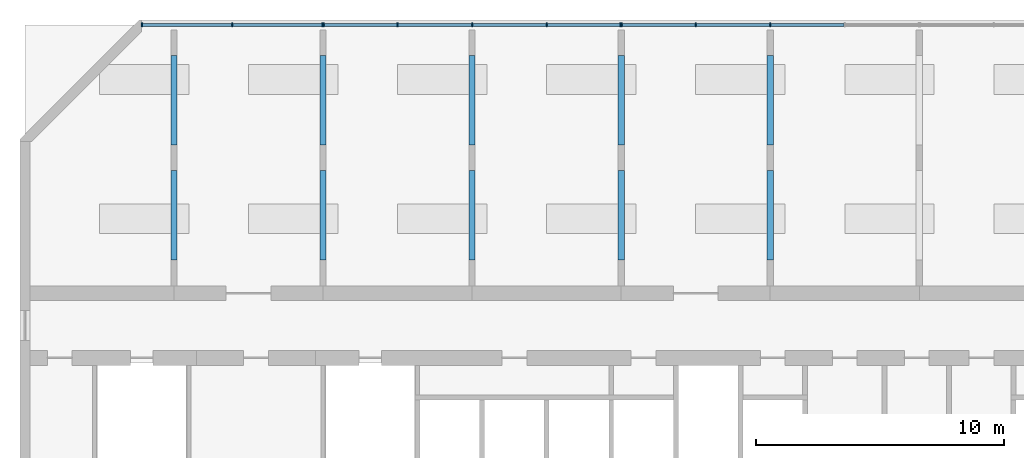
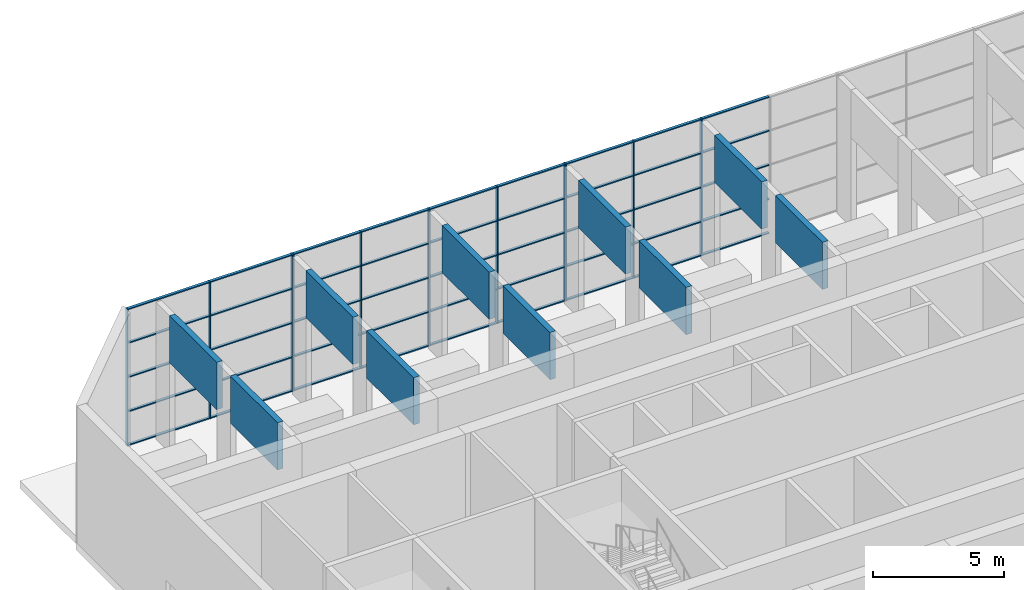
# One storey, part 1 of 13: 56 members, 10 beams, 3 elements without a shape of their own.
"""IFC4 building model written with IfcOpenShell, lengths in metres."""

from ifc_helpers import new_model, si_unit, direction, frame, origin, origin_2d, place, context, subcontext, project, spatial, rectangle, extrude, source, transform, mapped, material, layer, layer_set, material_profile, profile_set, type_object, element, aggregate, save


model = new_model("IFC4")

# Units and contexts
model_context = context("Model", 3, precision=1e-05, world=origin(), true_north=direction((0.0, 1.0)))
body_context = subcontext(model_context, "Body", "Model", "MODEL_VIEW")
ifc_project = project(units=[si_unit("LENGTHUNIT", "METRE"), si_unit("AREAUNIT", "SQUARE_METRE"), si_unit("VOLUMEUNIT", "CUBIC_METRE"), si_unit("PLANEANGLEUNIT", "RADIAN"), si_unit("MASSUNIT", "GRAM", prefix="KILO")], contexts=[model_context])

# Site, building, storey
site_placement = place(None, origin())
site = spatial("IfcSite", under=ifc_project, at=site_placement, CompositionType="ELEMENT")
building_placement = place(site_placement, origin())
building = spatial("IfcBuilding", under=site, at=building_placement, Name="Poui Terraces", CompositionType="ELEMENT")
storey_placement = place(building_placement, frame((0.0, 0.0, 214.800048828125)))
storey = spatial("IfcBuildingStorey", under=building, at=storey_placement, Name="L60", CompositionType="ELEMENT", Elevation=214.800048828125)

# Curtain wall, members
ifc_material_1 = material(Name="Clear glass", Category="glass")
ifc_layer = layer(ifc_material_1, 0.159912109375)
ifc_layer_set = layer_set([ifc_layer], Name="Clear glass")
curtain_wall_type = type_object("IfcCurtainWallType", Name="CURTAIN WALL CW-D SKY GARDEN GLAZING", PredefinedType="NOTDEFINED", material=ifc_layer_set)
curtain_wall_1_placement = place(storey_placement, origin())
curtain_wall_1 = element("IfcCurtainWall", 1, at=curtain_wall_1_placement, inside=storey, type_object=curtain_wall_type, Name="CW-D SKY GARDEN GLAZING", PredefinedType="NOTDEFINED")
ifc_material_2 = material(Name="Aluminium frame", Category="aluminium")
ifc_material_profile_1 = material_profile(ifc_material_2, rectangle(XDim=0.159912109375, YDim=0.050048828125, at=origin_2d()), Name="CW-D MULLION 50X160")
ifc_profile_set_1 = profile_set([ifc_material_profile_1], Name="Aluminium frame")
member_type_1 = type_object("IfcMemberType", Name="CW-D MULLION 50X160", PredefinedType="MULLION", material=ifc_profile_set_1)
member_1_placement = place(storey_placement, frame((29.97509765625, 41.199951171875, 0.0), z_axis=(0.0, 0.0, 1.0), x_axis=(0.0, -1.0, 0.0)))
member_1 = element("IfcMember", 2, at=member_1_placement, type_object=member_type_1, Name="CW-D mullion 1", PredefinedType="MULLION", context=body_context, shape_type="SweptSolid", body=[
    extrude(rectangle(XDim=0.159912109375, YDim=0.050048828125, at=origin_2d()), origin(), (0.0, 0.0, 1.0), 6.3798828125),
])
member_2_placement = place(storey_placement, frame((26.34130859375, 41.199951171875, 0.0), z_axis=(0.0, 0.0, 1.0), x_axis=(0.0, -1.0, 0.0)))
member_2 = element("IfcMember", 3, at=member_2_placement, type_object=member_type_1, Name="CW-D mullion 2", PredefinedType="MULLION", context=body_context, shape_type="SweptSolid", body=[
    extrude(rectangle(XDim=0.159912109375, YDim=0.050048828125, at=origin_2d()), origin(), (0.0, 0.0, 1.0), 6.3798828125),
])
member_3_placement = place(storey_placement, frame((22.707763671875, 41.199951171875, 0.0), z_axis=(0.0, 0.0, 1.0), x_axis=(0.0, -1.0, 0.0)))
member_3 = element("IfcMember", 4, at=member_3_placement, type_object=member_type_1, Name="CW-D mullion 3", PredefinedType="MULLION", context=body_context, shape_type="SweptSolid", body=[
    extrude(rectangle(XDim=0.159912109375, YDim=0.050048828125, at=origin_2d()), origin(), (0.0, 0.0, 1.0), 6.3798828125),
])

curtain_wall_2_placement = place(storey_placement, origin())
curtain_wall_2 = element("IfcCurtainWall", 5, at=curtain_wall_2_placement, inside=storey, type_object=curtain_wall_type, Name="CW-D SKY GARDEN GLAZING", PredefinedType="NOTDEFINED")
member_4_placement = place(storey_placement, frame((41.97509765625, 41.199951171875, 0.0), z_axis=(0.0, 0.0, 1.0), x_axis=(0.0, -1.0, 0.0)))
member_4 = element("IfcMember", 6, at=member_4_placement, type_object=member_type_1, Name="CW-D mullion 1", PredefinedType="MULLION", context=body_context, shape_type="SweptSolid", body=[
    extrude(rectangle(XDim=0.159912109375, YDim=0.050048828125, at=origin_2d()), origin(), (0.0, 0.0, 1.0), 6.3798828125),
])
member_5_placement = place(storey_placement, frame((39.0, 41.199951171875, 0.0), z_axis=(0.0, 0.0, 1.0), x_axis=(0.0, -1.0, 0.0)))
member_5 = element("IfcMember", 7, at=member_5_placement, type_object=member_type_1, Name="CW-D mullion 2", PredefinedType="MULLION", context=body_context, shape_type="SweptSolid", body=[
    extrude(rectangle(XDim=0.159912109375, YDim=0.050048828125, at=origin_2d()), origin(), (0.0, 0.0, 1.0), 6.3798828125),
])
member_6_placement = place(storey_placement, frame((36.0, 41.199951171875, 0.0), z_axis=(0.0, 0.0, 1.0), x_axis=(0.0, -1.0, 0.0)))
member_6 = element("IfcMember", 8, at=member_6_placement, type_object=member_type_1, Name="CW-D mullion 3", PredefinedType="MULLION", context=body_context, shape_type="SweptSolid", body=[
    extrude(rectangle(XDim=0.159912109375, YDim=0.050048828125, at=origin_2d()), origin(), (0.0, 0.0, 1.0), 6.3798828125),
])
member_7_placement = place(storey_placement, frame((33.0, 41.199951171875, 0.0), z_axis=(0.0, 0.0, 1.0), x_axis=(0.0, -1.0, 0.0)))
member_7 = element("IfcMember", 9, at=member_7_placement, type_object=member_type_1, Name="CW-D mullion 4", PredefinedType="MULLION", context=body_context, shape_type="SweptSolid", body=[
    extrude(rectangle(XDim=0.159912109375, YDim=0.050048828125, at=origin_2d()), origin(), (0.0, 0.0, 1.0), 6.3798828125),
])
member_8_placement = place(storey_placement, frame((30.02490234375, 41.199951171875, 0.0), z_axis=(0.0, 0.0, 1.0), x_axis=(0.0, -1.0, 0.0)))
member_8 = element("IfcMember", 10, at=member_8_placement, type_object=member_type_1, Name="CW-D mullion 5", PredefinedType="MULLION", context=body_context, shape_type="SweptSolid", body=[
    extrude(rectangle(XDim=0.159912109375, YDim=0.050048828125, at=origin_2d()), origin(), (0.0, 0.0, 1.0), 6.3798828125),
])

curtain_wall_3_placement = place(storey_placement, origin())
curtain_wall_3 = element("IfcCurtainWall", 11, at=curtain_wall_3_placement, inside=storey, type_object=curtain_wall_type, Name="CW-D SKY GARDEN GLAZING", PredefinedType="NOTDEFINED")
member_9_placement = place(storey_placement, frame((48.0, 41.199951171875, 0.0), z_axis=(0.0, 0.0, 1.0), x_axis=(0.0, -1.0, 0.0)))
member_9 = element("IfcMember", 12, at=member_9_placement, type_object=member_type_1, Name="CW-D mullion 3", PredefinedType="MULLION", context=body_context, shape_type="SweptSolid", body=[
    extrude(rectangle(XDim=0.159912109375, YDim=0.050048828125, at=origin_2d()), origin(), (0.0, 0.0, 1.0), 6.3798828125),
])
member_10_placement = place(storey_placement, frame((45.0, 41.199951171875, 0.0), z_axis=(0.0, 0.0, 1.0), x_axis=(0.0, -1.0, 0.0)))
member_10 = element("IfcMember", 13, at=member_10_placement, type_object=member_type_1, Name="CW-D mullion 4", PredefinedType="MULLION", context=body_context, shape_type="SweptSolid", body=[
    extrude(rectangle(XDim=0.159912109375, YDim=0.050048828125, at=origin_2d()), origin(), (0.0, 0.0, 1.0), 6.3798828125),
])
member_11_placement = place(storey_placement, frame((42.02490234375, 41.199951171875, 0.0), z_axis=(0.0, 0.0, 1.0), x_axis=(0.0, -1.0, 0.0)))
member_11 = element("IfcMember", 14, at=member_11_placement, type_object=member_type_1, Name="CW-D mullion 5", PredefinedType="MULLION", context=body_context, shape_type="SweptSolid", body=[
    extrude(rectangle(XDim=0.159912109375, YDim=0.050048828125, at=origin_2d()), origin(), (0.0, 0.0, 1.0), 6.3798828125),
])

# Member
ifc_material_profile_2 = material_profile(ifc_material_2, rectangle(XDim=0.1201171875, YDim=0.050048828125, at=origin_2d()), Name="CW-D TRANSOM 50X120")
ifc_profile_set_2 = profile_set([ifc_material_profile_2], Name="Aluminium frame")
member_type_2 = type_object("IfcMemberType", Name="CW-D TRANSOM 50X120", PredefinedType="USERDEFINED", material=ifc_profile_set_2)
member_12_placement = place(storey_placement, frame((29.949951171875, 41.199951171875, 0.02490234375), z_axis=(-1.0, 0.0, 0.0), x_axis=(0.0, -1.0, 0.0)))
member_12 = element("IfcMember", 15, at=member_12_placement, type_object=member_type_2, Name="CW-D transom 1.1", ObjectType="TRANSOM", PredefinedType="USERDEFINED", context=body_context, shape_type="SweptSolid", body=[
    extrude(rectangle(XDim=0.1201171875, YDim=0.050048828125, at=origin_2d()), origin(), (0.0, 0.0, 1.0), 3.58349609375),
])

member_13_placement = place(storey_placement, frame((29.949951171875, 41.199951171875, 1.594970703125), z_axis=(-1.0, 0.0, 0.0), x_axis=(0.0, -1.0, 0.0)))
member_13 = element("IfcMember", 16, at=member_13_placement, type_object=member_type_2, Name="CW-D transom 1.2", ObjectType="TRANSOM", PredefinedType="USERDEFINED", context=body_context, shape_type="SweptSolid", body=[
    extrude(rectangle(XDim=0.1201171875, YDim=0.050048828125, at=origin_2d()), origin(), (0.0, 0.0, 1.0), 3.58349609375),
])

member_14_placement = place(storey_placement, frame((29.949951171875, 41.199951171875, 3.18994140625), z_axis=(-1.0, 0.0, 0.0), x_axis=(0.0, -1.0, 0.0)))
member_14 = element("IfcMember", 17, at=member_14_placement, type_object=member_type_2, Name="CW-D transom 1.3", ObjectType="TRANSOM", PredefinedType="USERDEFINED", context=body_context, shape_type="SweptSolid", body=[
    extrude(rectangle(XDim=0.1201171875, YDim=0.050048828125, at=origin_2d()), origin(), (0.0, 0.0, 1.0), 3.58349609375),
])

member_15_placement = place(storey_placement, frame((29.949951171875, 41.199951171875, 4.784912109375), z_axis=(-1.0, 0.0, 0.0), x_axis=(0.0, -1.0, 0.0)))
member_15 = element("IfcMember", 18, at=member_15_placement, type_object=member_type_2, Name="CW-D transom 1.4", ObjectType="TRANSOM", PredefinedType="USERDEFINED", context=body_context, shape_type="SweptSolid", body=[
    extrude(rectangle(XDim=0.1201171875, YDim=0.050048828125, at=origin_2d()), origin(), (0.0, 0.0, 1.0), 3.58349609375),
])

member_16_placement = place(storey_placement, frame((29.949951171875, 41.199951171875, 6.35498046875), z_axis=(-1.0, 0.0, 0.0), x_axis=(0.0, -1.0, 0.0)))
member_16 = element("IfcMember", 19, at=member_16_placement, type_object=member_type_2, Name="CW-D transom 1.5", ObjectType="TRANSOM", PredefinedType="USERDEFINED", context=body_context, shape_type="SweptSolid", body=[
    extrude(rectangle(XDim=0.1201171875, YDim=0.050048828125, at=origin_2d()), origin(), (0.0, 0.0, 1.0), 3.58349609375),
])

member_17_placement = place(storey_placement, frame((26.31640625, 41.199951171875, 0.02490234375), z_axis=(-1.0, 0.0, 0.0), x_axis=(0.0, -1.0, 0.0)))
member_17 = element("IfcMember", 20, at=member_17_placement, type_object=member_type_2, Name="CW-D transom 2.1", ObjectType="TRANSOM", PredefinedType="USERDEFINED", context=body_context, shape_type="SweptSolid", body=[
    extrude(rectangle(XDim=0.1201171875, YDim=0.050048828125, at=origin_2d()), origin(), (0.0, 0.0, 1.0), 3.58349609375),
])

member_18_placement = place(storey_placement, frame((26.31640625, 41.199951171875, 1.594970703125), z_axis=(-1.0, 0.0, 0.0), x_axis=(0.0, -1.0, 0.0)))
member_18 = element("IfcMember", 21, at=member_18_placement, type_object=member_type_2, Name="CW-D transom 2.2", ObjectType="TRANSOM", PredefinedType="USERDEFINED", context=body_context, shape_type="SweptSolid", body=[
    extrude(rectangle(XDim=0.1201171875, YDim=0.050048828125, at=origin_2d()), origin(), (0.0, 0.0, 1.0), 3.58349609375),
])

member_19_placement = place(storey_placement, frame((26.31640625, 41.199951171875, 3.18994140625), z_axis=(-1.0, 0.0, 0.0), x_axis=(0.0, -1.0, 0.0)))
member_19 = element("IfcMember", 22, at=member_19_placement, type_object=member_type_2, Name="CW-D transom 2.3", ObjectType="TRANSOM", PredefinedType="USERDEFINED", context=body_context, shape_type="SweptSolid", body=[
    extrude(rectangle(XDim=0.1201171875, YDim=0.050048828125, at=origin_2d()), origin(), (0.0, 0.0, 1.0), 3.58349609375),
])

member_20_placement = place(storey_placement, frame((26.31640625, 41.199951171875, 4.784912109375), z_axis=(-1.0, 0.0, 0.0), x_axis=(0.0, -1.0, 0.0)))
member_20 = element("IfcMember", 23, at=member_20_placement, type_object=member_type_2, Name="CW-D transom 2.4", ObjectType="TRANSOM", PredefinedType="USERDEFINED", context=body_context, shape_type="SweptSolid", body=[
    extrude(rectangle(XDim=0.1201171875, YDim=0.050048828125, at=origin_2d()), origin(), (0.0, 0.0, 1.0), 3.58349609375),
])

member_21_placement = place(storey_placement, frame((26.31640625, 41.199951171875, 6.35498046875), z_axis=(-1.0, 0.0, 0.0), x_axis=(0.0, -1.0, 0.0)))
member_21 = element("IfcMember", 24, at=member_21_placement, type_object=member_type_2, Name="CW-D transom 2.5", ObjectType="TRANSOM", PredefinedType="USERDEFINED", context=body_context, shape_type="SweptSolid", body=[
    extrude(rectangle(XDim=0.1201171875, YDim=0.050048828125, at=origin_2d()), origin(), (0.0, 0.0, 1.0), 3.58349609375),
])

aggregate(curtain_wall_1, [member_1, member_2, member_3, member_12, member_13, member_14, member_15, member_16, member_17, member_18, member_19, member_20, member_21])

member_22_placement = place(storey_placement, frame((41.949951171875, 41.199951171875, 0.02490234375), z_axis=(-1.0, 0.0, 0.0), x_axis=(0.0, -1.0, 0.0)))
member_22 = element("IfcMember", 25, at=member_22_placement, type_object=member_type_2, Name="CW-D transom 1.1", ObjectType="TRANSOM", PredefinedType="USERDEFINED", context=body_context, shape_type="SweptSolid", body=[
    extrude(rectangle(XDim=0.1201171875, YDim=0.050048828125, at=origin_2d()), origin(), (0.0, 0.0, 1.0), 2.925048828125),
])

member_23_placement = place(storey_placement, frame((41.949951171875, 41.199951171875, 1.594970703125), z_axis=(-1.0, 0.0, 0.0), x_axis=(0.0, -1.0, 0.0)))
member_23 = element("IfcMember", 26, at=member_23_placement, type_object=member_type_2, Name="CW-D transom 1.2", ObjectType="TRANSOM", PredefinedType="USERDEFINED", context=body_context, shape_type="SweptSolid", body=[
    extrude(rectangle(XDim=0.1201171875, YDim=0.050048828125, at=origin_2d()), origin(), (0.0, 0.0, 1.0), 2.925048828125),
])

member_24_placement = place(storey_placement, frame((41.949951171875, 41.199951171875, 3.18994140625), z_axis=(-1.0, 0.0, 0.0), x_axis=(0.0, -1.0, 0.0)))
member_24 = element("IfcMember", 27, at=member_24_placement, type_object=member_type_2, Name="CW-D transom 1.3", ObjectType="TRANSOM", PredefinedType="USERDEFINED", context=body_context, shape_type="SweptSolid", body=[
    extrude(rectangle(XDim=0.1201171875, YDim=0.050048828125, at=origin_2d()), origin(), (0.0, 0.0, 1.0), 2.925048828125),
])

member_25_placement = place(storey_placement, frame((41.949951171875, 41.199951171875, 4.784912109375), z_axis=(-1.0, 0.0, 0.0), x_axis=(0.0, -1.0, 0.0)))
member_25 = element("IfcMember", 28, at=member_25_placement, type_object=member_type_2, Name="CW-D transom 1.4", ObjectType="TRANSOM", PredefinedType="USERDEFINED", context=body_context, shape_type="SweptSolid", body=[
    extrude(rectangle(XDim=0.1201171875, YDim=0.050048828125, at=origin_2d()), origin(), (0.0, 0.0, 1.0), 2.925048828125),
])

member_26_placement = place(storey_placement, frame((41.949951171875, 41.199951171875, 6.35498046875), z_axis=(-1.0, 0.0, 0.0), x_axis=(0.0, -1.0, 0.0)))
member_26 = element("IfcMember", 29, at=member_26_placement, type_object=member_type_2, Name="CW-D transom 1.5", ObjectType="TRANSOM", PredefinedType="USERDEFINED", context=body_context, shape_type="SweptSolid", body=[
    extrude(rectangle(XDim=0.1201171875, YDim=0.050048828125, at=origin_2d()), origin(), (0.0, 0.0, 1.0), 2.925048828125),
])

member_27_placement = place(storey_placement, frame((38.97509765625, 41.199951171875, 0.02490234375), z_axis=(-1.0, 0.0, 0.0), x_axis=(0.0, -1.0, 0.0)))
member_27 = element("IfcMember", 30, at=member_27_placement, type_object=member_type_2, Name="CW-D transom 2.1", ObjectType="TRANSOM", PredefinedType="USERDEFINED", context=body_context, shape_type="SweptSolid", body=[
    extrude(rectangle(XDim=0.1201171875, YDim=0.050048828125, at=origin_2d()), origin(), (0.0, 0.0, 1.0), 2.9501953125),
])

member_28_placement = place(storey_placement, frame((38.97509765625, 41.199951171875, 1.594970703125), z_axis=(-1.0, 0.0, 0.0), x_axis=(0.0, -1.0, 0.0)))
member_28 = element("IfcMember", 31, at=member_28_placement, type_object=member_type_2, Name="CW-D transom 2.2", ObjectType="TRANSOM", PredefinedType="USERDEFINED", context=body_context, shape_type="SweptSolid", body=[
    extrude(rectangle(XDim=0.1201171875, YDim=0.050048828125, at=origin_2d()), origin(), (0.0, 0.0, 1.0), 2.9501953125),
])

member_29_placement = place(storey_placement, frame((38.97509765625, 41.199951171875, 3.18994140625), z_axis=(-1.0, 0.0, 0.0), x_axis=(0.0, -1.0, 0.0)))
member_29 = element("IfcMember", 32, at=member_29_placement, type_object=member_type_2, Name="CW-D transom 2.3", ObjectType="TRANSOM", PredefinedType="USERDEFINED", context=body_context, shape_type="SweptSolid", body=[
    extrude(rectangle(XDim=0.1201171875, YDim=0.050048828125, at=origin_2d()), origin(), (0.0, 0.0, 1.0), 2.9501953125),
])

member_30_placement = place(storey_placement, frame((38.97509765625, 41.199951171875, 4.784912109375), z_axis=(-1.0, 0.0, 0.0), x_axis=(0.0, -1.0, 0.0)))
member_30 = element("IfcMember", 33, at=member_30_placement, type_object=member_type_2, Name="CW-D transom 2.4", ObjectType="TRANSOM", PredefinedType="USERDEFINED", context=body_context, shape_type="SweptSolid", body=[
    extrude(rectangle(XDim=0.1201171875, YDim=0.050048828125, at=origin_2d()), origin(), (0.0, 0.0, 1.0), 2.9501953125),
])

member_31_placement = place(storey_placement, frame((38.97509765625, 41.199951171875, 6.35498046875), z_axis=(-1.0, 0.0, 0.0), x_axis=(0.0, -1.0, 0.0)))
member_31 = element("IfcMember", 34, at=member_31_placement, type_object=member_type_2, Name="CW-D transom 2.5", ObjectType="TRANSOM", PredefinedType="USERDEFINED", context=body_context, shape_type="SweptSolid", body=[
    extrude(rectangle(XDim=0.1201171875, YDim=0.050048828125, at=origin_2d()), origin(), (0.0, 0.0, 1.0), 2.9501953125),
])

member_32_placement = place(storey_placement, frame((35.97509765625, 41.199951171875, 0.02490234375), z_axis=(-1.0, 0.0, 0.0), x_axis=(0.0, -1.0, 0.0)))
member_32 = element("IfcMember", 35, at=member_32_placement, type_object=member_type_2, Name="CW-D transom 3.1", ObjectType="TRANSOM", PredefinedType="USERDEFINED", context=body_context, shape_type="SweptSolid", body=[
    extrude(rectangle(XDim=0.1201171875, YDim=0.050048828125, at=origin_2d()), origin(), (0.0, 0.0, 1.0), 2.9501953125),
])

member_33_placement = place(storey_placement, frame((35.97509765625, 41.199951171875, 1.594970703125), z_axis=(-1.0, 0.0, 0.0), x_axis=(0.0, -1.0, 0.0)))
member_33 = element("IfcMember", 36, at=member_33_placement, type_object=member_type_2, Name="CW-D transom 3.2", ObjectType="TRANSOM", PredefinedType="USERDEFINED", context=body_context, shape_type="SweptSolid", body=[
    extrude(rectangle(XDim=0.1201171875, YDim=0.050048828125, at=origin_2d()), origin(), (0.0, 0.0, 1.0), 2.9501953125),
])

member_34_placement = place(storey_placement, frame((35.97509765625, 41.199951171875, 3.18994140625), z_axis=(-1.0, 0.0, 0.0), x_axis=(0.0, -1.0, 0.0)))
member_34 = element("IfcMember", 37, at=member_34_placement, type_object=member_type_2, Name="CW-D transom 3.3", ObjectType="TRANSOM", PredefinedType="USERDEFINED", context=body_context, shape_type="SweptSolid", body=[
    extrude(rectangle(XDim=0.1201171875, YDim=0.050048828125, at=origin_2d()), origin(), (0.0, 0.0, 1.0), 2.9501953125),
])

member_35_placement = place(storey_placement, frame((35.97509765625, 41.199951171875, 4.784912109375), z_axis=(-1.0, 0.0, 0.0), x_axis=(0.0, -1.0, 0.0)))
member_35 = element("IfcMember", 38, at=member_35_placement, type_object=member_type_2, Name="CW-D transom 3.4", ObjectType="TRANSOM", PredefinedType="USERDEFINED", context=body_context, shape_type="SweptSolid", body=[
    extrude(rectangle(XDim=0.1201171875, YDim=0.050048828125, at=origin_2d()), origin(), (0.0, 0.0, 1.0), 2.9501953125),
])

member_36_placement = place(storey_placement, frame((35.97509765625, 41.199951171875, 6.35498046875), z_axis=(-1.0, 0.0, 0.0), x_axis=(0.0, -1.0, 0.0)))
member_36 = element("IfcMember", 39, at=member_36_placement, type_object=member_type_2, Name="CW-D transom 3.5", ObjectType="TRANSOM", PredefinedType="USERDEFINED", context=body_context, shape_type="SweptSolid", body=[
    extrude(rectangle(XDim=0.1201171875, YDim=0.050048828125, at=origin_2d()), origin(), (0.0, 0.0, 1.0), 2.9501953125),
])

member_37_placement = place(storey_placement, frame((32.97509765625, 41.199951171875, 0.02490234375), z_axis=(-1.0, 0.0, 0.0), x_axis=(0.0, -1.0, 0.0)))
member_37 = element("IfcMember", 40, at=member_37_placement, type_object=member_type_2, Name="CW-D transom 4.1", ObjectType="TRANSOM", PredefinedType="USERDEFINED", context=body_context, shape_type="SweptSolid", body=[
    extrude(rectangle(XDim=0.1201171875, YDim=0.050048828125, at=origin_2d()), origin(), (0.0, 0.0, 1.0), 2.925048828125),
])

member_38_placement = place(storey_placement, frame((32.97509765625, 41.199951171875, 1.594970703125), z_axis=(-1.0, 0.0, 0.0), x_axis=(0.0, -1.0, 0.0)))
member_38 = element("IfcMember", 41, at=member_38_placement, type_object=member_type_2, Name="CW-D transom 4.2", ObjectType="TRANSOM", PredefinedType="USERDEFINED", context=body_context, shape_type="SweptSolid", body=[
    extrude(rectangle(XDim=0.1201171875, YDim=0.050048828125, at=origin_2d()), origin(), (0.0, 0.0, 1.0), 2.925048828125),
])

member_39_placement = place(storey_placement, frame((32.97509765625, 41.199951171875, 3.18994140625), z_axis=(-1.0, 0.0, 0.0), x_axis=(0.0, -1.0, 0.0)))
member_39 = element("IfcMember", 42, at=member_39_placement, type_object=member_type_2, Name="CW-D transom 4.3", ObjectType="TRANSOM", PredefinedType="USERDEFINED", context=body_context, shape_type="SweptSolid", body=[
    extrude(rectangle(XDim=0.1201171875, YDim=0.050048828125, at=origin_2d()), origin(), (0.0, 0.0, 1.0), 2.925048828125),
])

member_40_placement = place(storey_placement, frame((32.97509765625, 41.199951171875, 4.784912109375), z_axis=(-1.0, 0.0, 0.0), x_axis=(0.0, -1.0, 0.0)))
member_40 = element("IfcMember", 43, at=member_40_placement, type_object=member_type_2, Name="CW-D transom 4.4", ObjectType="TRANSOM", PredefinedType="USERDEFINED", context=body_context, shape_type="SweptSolid", body=[
    extrude(rectangle(XDim=0.1201171875, YDim=0.050048828125, at=origin_2d()), origin(), (0.0, 0.0, 1.0), 2.925048828125),
])

member_41_placement = place(storey_placement, frame((32.97509765625, 41.199951171875, 6.35498046875), z_axis=(-1.0, 0.0, 0.0), x_axis=(0.0, -1.0, 0.0)))
member_41 = element("IfcMember", 44, at=member_41_placement, type_object=member_type_2, Name="CW-D transom 4.5", ObjectType="TRANSOM", PredefinedType="USERDEFINED", context=body_context, shape_type="SweptSolid", body=[
    extrude(rectangle(XDim=0.1201171875, YDim=0.050048828125, at=origin_2d()), origin(), (0.0, 0.0, 1.0), 2.925048828125),
])

aggregate(curtain_wall_2, [member_4, member_5, member_6, member_7, member_8, member_22, member_23, member_24, member_25, member_26, member_27, member_28, member_29, member_30, member_31, member_32, member_33, member_34, member_35, member_36, member_37, member_38, member_39, member_40, member_41])

member_42_placement = place(storey_placement, frame((50.97509765625, 41.199951171875, 0.02490234375), z_axis=(-1.0, 0.0, 0.0), x_axis=(0.0, -1.0, 0.0)))
member_42 = element("IfcMember", 45, at=member_42_placement, type_object=member_type_2, Name="CW-D transom 2.1", ObjectType="TRANSOM", PredefinedType="USERDEFINED", context=body_context, shape_type="SweptSolid", body=[
    extrude(rectangle(XDim=0.1201171875, YDim=0.050048828125, at=origin_2d()), origin(), (0.0, 0.0, 1.0), 2.9501953125),
])

member_43_placement = place(storey_placement, frame((50.97509765625, 41.199951171875, 1.594970703125), z_axis=(-1.0, 0.0, 0.0), x_axis=(0.0, -1.0, 0.0)))
member_43 = element("IfcMember", 46, at=member_43_placement, type_object=member_type_2, Name="CW-D transom 2.2", ObjectType="TRANSOM", PredefinedType="USERDEFINED", context=body_context, shape_type="SweptSolid", body=[
    extrude(rectangle(XDim=0.1201171875, YDim=0.050048828125, at=origin_2d()), origin(), (0.0, 0.0, 1.0), 2.9501953125),
])

member_44_placement = place(storey_placement, frame((50.97509765625, 41.199951171875, 3.18994140625), z_axis=(-1.0, 0.0, 0.0), x_axis=(0.0, -1.0, 0.0)))
member_44 = element("IfcMember", 47, at=member_44_placement, type_object=member_type_2, Name="CW-D transom 2.3", ObjectType="TRANSOM", PredefinedType="USERDEFINED", context=body_context, shape_type="SweptSolid", body=[
    extrude(rectangle(XDim=0.1201171875, YDim=0.050048828125, at=origin_2d()), origin(), (0.0, 0.0, 1.0), 2.9501953125),
])

member_45_placement = place(storey_placement, frame((50.97509765625, 41.199951171875, 4.784912109375), z_axis=(-1.0, 0.0, 0.0), x_axis=(0.0, -1.0, 0.0)))
member_45 = element("IfcMember", 48, at=member_45_placement, type_object=member_type_2, Name="CW-D transom 2.4", ObjectType="TRANSOM", PredefinedType="USERDEFINED", context=body_context, shape_type="SweptSolid", body=[
    extrude(rectangle(XDim=0.1201171875, YDim=0.050048828125, at=origin_2d()), origin(), (0.0, 0.0, 1.0), 2.9501953125),
])

member_46_placement = place(storey_placement, frame((50.97509765625, 41.199951171875, 6.35498046875), z_axis=(-1.0, 0.0, 0.0), x_axis=(0.0, -1.0, 0.0)))
member_46 = element("IfcMember", 49, at=member_46_placement, type_object=member_type_2, Name="CW-D transom 2.5", ObjectType="TRANSOM", PredefinedType="USERDEFINED", context=body_context, shape_type="SweptSolid", body=[
    extrude(rectangle(XDim=0.1201171875, YDim=0.050048828125, at=origin_2d()), origin(), (0.0, 0.0, 1.0), 2.9501953125),
])

member_47_placement = place(storey_placement, frame((47.97509765625, 41.199951171875, 0.02490234375), z_axis=(-1.0, 0.0, 0.0), x_axis=(0.0, -1.0, 0.0)))
member_47 = element("IfcMember", 50, at=member_47_placement, type_object=member_type_2, Name="CW-D transom 3.1", ObjectType="TRANSOM", PredefinedType="USERDEFINED", context=body_context, shape_type="SweptSolid", body=[
    extrude(rectangle(XDim=0.1201171875, YDim=0.050048828125, at=origin_2d()), origin(), (0.0, 0.0, 1.0), 2.9501953125),
])

member_48_placement = place(storey_placement, frame((47.97509765625, 41.199951171875, 1.594970703125), z_axis=(-1.0, 0.0, 0.0), x_axis=(0.0, -1.0, 0.0)))
member_48 = element("IfcMember", 51, at=member_48_placement, type_object=member_type_2, Name="CW-D transom 3.2", ObjectType="TRANSOM", PredefinedType="USERDEFINED", context=body_context, shape_type="SweptSolid", body=[
    extrude(rectangle(XDim=0.1201171875, YDim=0.050048828125, at=origin_2d()), origin(), (0.0, 0.0, 1.0), 2.9501953125),
])

member_49_placement = place(storey_placement, frame((47.97509765625, 41.199951171875, 3.18994140625), z_axis=(-1.0, 0.0, 0.0), x_axis=(0.0, -1.0, 0.0)))
member_49 = element("IfcMember", 52, at=member_49_placement, type_object=member_type_2, Name="CW-D transom 3.3", ObjectType="TRANSOM", PredefinedType="USERDEFINED", context=body_context, shape_type="SweptSolid", body=[
    extrude(rectangle(XDim=0.1201171875, YDim=0.050048828125, at=origin_2d()), origin(), (0.0, 0.0, 1.0), 2.9501953125),
])

member_50_placement = place(storey_placement, frame((47.97509765625, 41.199951171875, 4.784912109375), z_axis=(-1.0, 0.0, 0.0), x_axis=(0.0, -1.0, 0.0)))
member_50 = element("IfcMember", 53, at=member_50_placement, type_object=member_type_2, Name="CW-D transom 3.4", ObjectType="TRANSOM", PredefinedType="USERDEFINED", context=body_context, shape_type="SweptSolid", body=[
    extrude(rectangle(XDim=0.1201171875, YDim=0.050048828125, at=origin_2d()), origin(), (0.0, 0.0, 1.0), 2.9501953125),
])

member_51_placement = place(storey_placement, frame((47.97509765625, 41.199951171875, 6.35498046875), z_axis=(-1.0, 0.0, 0.0), x_axis=(0.0, -1.0, 0.0)))
member_51 = element("IfcMember", 54, at=member_51_placement, type_object=member_type_2, Name="CW-D transom 3.5", ObjectType="TRANSOM", PredefinedType="USERDEFINED", context=body_context, shape_type="SweptSolid", body=[
    extrude(rectangle(XDim=0.1201171875, YDim=0.050048828125, at=origin_2d()), origin(), (0.0, 0.0, 1.0), 2.9501953125),
])

member_52_placement = place(storey_placement, frame((44.97509765625, 41.199951171875, 0.02490234375), z_axis=(-1.0, 0.0, 0.0), x_axis=(0.0, -1.0, 0.0)))
member_52 = element("IfcMember", 55, at=member_52_placement, type_object=member_type_2, Name="CW-D transom 4.1", ObjectType="TRANSOM", PredefinedType="USERDEFINED", context=body_context, shape_type="SweptSolid", body=[
    extrude(rectangle(XDim=0.1201171875, YDim=0.050048828125, at=origin_2d()), origin(), (0.0, 0.0, 1.0), 2.925048828125),
])

member_53_placement = place(storey_placement, frame((44.97509765625, 41.199951171875, 1.594970703125), z_axis=(-1.0, 0.0, 0.0), x_axis=(0.0, -1.0, 0.0)))
member_53 = element("IfcMember", 56, at=member_53_placement, type_object=member_type_2, Name="CW-D transom 4.2", ObjectType="TRANSOM", PredefinedType="USERDEFINED", context=body_context, shape_type="SweptSolid", body=[
    extrude(rectangle(XDim=0.1201171875, YDim=0.050048828125, at=origin_2d()), origin(), (0.0, 0.0, 1.0), 2.925048828125),
])

member_54_placement = place(storey_placement, frame((44.97509765625, 41.199951171875, 3.18994140625), z_axis=(-1.0, 0.0, 0.0), x_axis=(0.0, -1.0, 0.0)))
member_54 = element("IfcMember", 57, at=member_54_placement, type_object=member_type_2, Name="CW-D transom 4.3", ObjectType="TRANSOM", PredefinedType="USERDEFINED", context=body_context, shape_type="SweptSolid", body=[
    extrude(rectangle(XDim=0.1201171875, YDim=0.050048828125, at=origin_2d()), origin(), (0.0, 0.0, 1.0), 2.925048828125),
])

member_55_placement = place(storey_placement, frame((44.97509765625, 41.199951171875, 4.784912109375), z_axis=(-1.0, 0.0, 0.0), x_axis=(0.0, -1.0, 0.0)))
member_55 = element("IfcMember", 58, at=member_55_placement, type_object=member_type_2, Name="CW-D transom 4.4", ObjectType="TRANSOM", PredefinedType="USERDEFINED", context=body_context, shape_type="SweptSolid", body=[
    extrude(rectangle(XDim=0.1201171875, YDim=0.050048828125, at=origin_2d()), origin(), (0.0, 0.0, 1.0), 2.925048828125),
])

member_56_placement = place(storey_placement, frame((44.97509765625, 41.199951171875, 6.35498046875), z_axis=(-1.0, 0.0, 0.0), x_axis=(0.0, -1.0, 0.0)))
member_56 = element("IfcMember", 59, at=member_56_placement, type_object=member_type_2, Name="CW-D transom 4.5", ObjectType="TRANSOM", PredefinedType="USERDEFINED", context=body_context, shape_type="SweptSolid", body=[
    extrude(rectangle(XDim=0.1201171875, YDim=0.050048828125, at=origin_2d()), origin(), (0.0, 0.0, 1.0), 2.925048828125),
])

aggregate(curtain_wall_3, [member_9, member_10, member_11, member_42, member_43, member_44, member_45, member_46, member_47, member_48, member_49, member_50, member_51, member_52, member_53, member_54, member_55, member_56])

# Beams
ifc_material_3 = material(Name="Concrete 50 MPa", Category="concrete")
ifc_material_profile_3 = material_profile(ifc_material_3, rectangle(XDim=0.25, YDim=2.199951171875, at=origin_2d()), Name="RC 250x2200")
ifc_profile_set_3 = profile_set([ifc_material_profile_3], Name="Concrete 50 MPa")
beam_type = type_object("IfcBeamType", Name="DEEP BEAM 250x2200 50MPa", PredefinedType="BEAM", material=ifc_profile_set_3)
shared_shape_1 = source(origin(), body_context, "Body", "SweptSolid", [
    extrude(rectangle(XDim=0.25, YDim=2.199951171875, at=origin_2d()), origin(), (0.0, 0.0, 1.0), 3.599853515625),
])
for number, where, z_axis, x_axis, name in (
    (60, (24.0, 31.7333984375, 5.280029296875), (0.0, 1.0, 0.0), (-1.0, 0.0, 0.0), "DEEP BEAM LINE 5 1"),
    (61, (30.0, 31.7333984375, 5.280029296875), (0.0, 1.0, 0.0), (-1.0, 0.0, 0.0), "DEEP BEAM LINE 6 1"),
    (62, (36.0, 31.7333984375, 5.280029296875), (0.0, 1.0, 0.0), (-1.0, 0.0, 0.0), "DEEP BEAM LINE 7 1"),
    (63, (42.0, 31.7333984375, 5.280029296875), (0.0, 1.0, 0.0), (-1.0, 0.0, 0.0), "DEEP BEAM LINE 8 1"),
    (64, (48.0, 31.7333984375, 5.280029296875), (0.0, 1.0, 0.0), (-1.0, 0.0, 0.0), "DEEP BEAM LINE 9 1"),
):
    element("IfcBeam", number, at=place(storey_placement, frame(where, z_axis=z_axis, x_axis=x_axis)), inside=storey, type_object=beam_type, Name=name, PredefinedType="BEAM", context=body_context, shape_type="MappedRepresentation", body=[
        mapped(shared_shape_1, transform((0.0, 0.0, 0.0))),
    ])
shared_shape_2 = source(origin(), body_context, "Body", "SweptSolid", [
    extrude(rectangle(XDim=0.25, YDim=2.199951171875, at=origin_2d()), origin(), (0.0, 0.0, 1.0), 3.60009765625),
])
for number, where, z_axis, x_axis, name in (
    (65, (24.0, 36.36669921875, 5.280029296875), (0.0, 1.0, 0.0), (-1.0, 0.0, 0.0), "DEEP BEAM LINE 5 2"),
    (66, (30.0, 36.36669921875, 5.280029296875), (0.0, 1.0, 0.0), (-1.0, 0.0, 0.0), "DEEP BEAM LINE 6 2"),
    (67, (36.0, 36.36669921875, 5.280029296875), (0.0, 1.0, 0.0), (-1.0, 0.0, 0.0), "DEEP BEAM LINE 7 2"),
    (68, (42.0, 36.36669921875, 5.280029296875), (0.0, 1.0, 0.0), (-1.0, 0.0, 0.0), "DEEP BEAM LINE 8 2"),
    (69, (48.0, 36.36669921875, 5.280029296875), (0.0, 1.0, 0.0), (-1.0, 0.0, 0.0), "DEEP BEAM LINE 9 2"),
):
    element("IfcBeam", number, at=place(storey_placement, frame(where, z_axis=z_axis, x_axis=x_axis)), inside=storey, type_object=beam_type, Name=name, PredefinedType="BEAM", context=body_context, shape_type="MappedRepresentation", body=[
        mapped(shared_shape_2, transform((0.0, 0.0, 0.0))),
    ])

save(model, "model.ifc")
